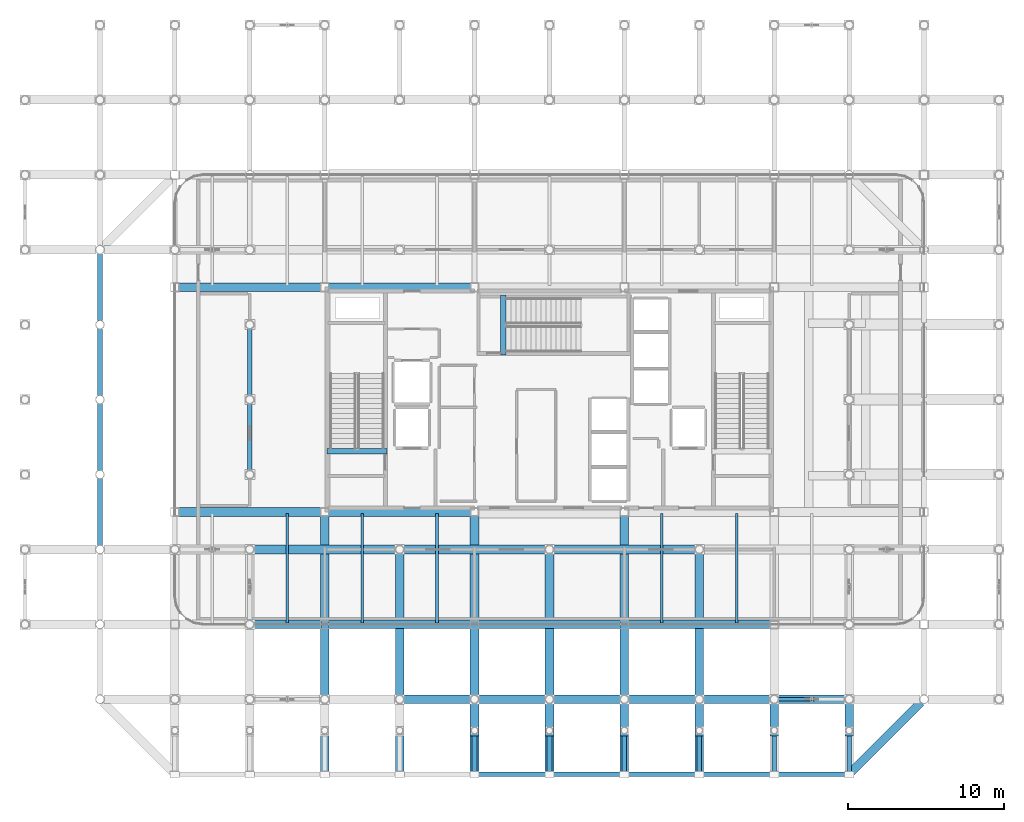
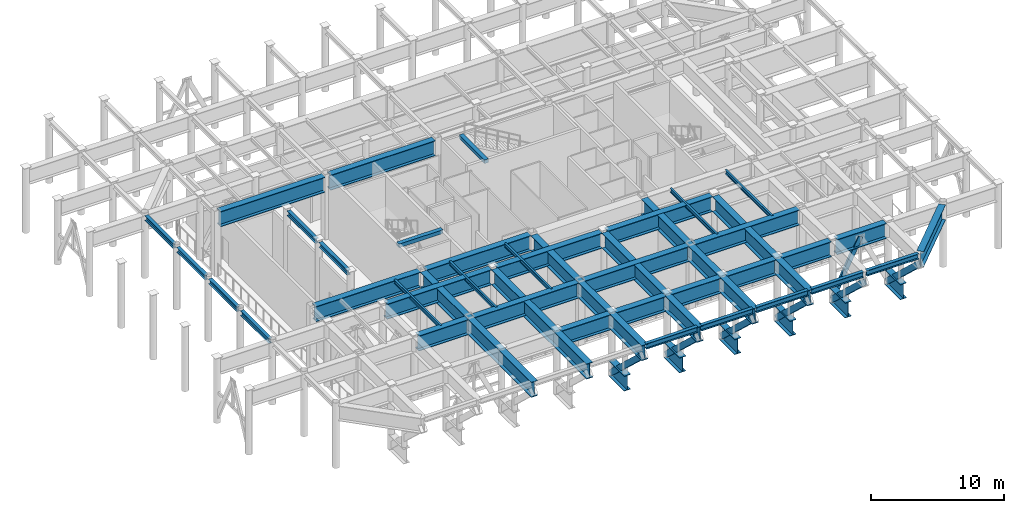
# One storey, part 5 of 20: 48 beams, 7 members.
"""IFC4 building model written with IfcOpenShell, lengths in metres."""

from ifc_helpers import new_model, si_unit, direction, frame, origin, origin_2d, place, context, subcontext, project, spatial, rectangle, hollow_rectangle, i_section, extrude, material, material_profile, profile_set, type_object, element, save


model = new_model("IFC4")

# Units and contexts
model_context = context("Model", 3, precision=1e-05, world=origin(), true_north=direction((0.0, 1.0)))
body_context = subcontext(model_context, "Body", "Model", "MODEL_VIEW")
ifc_project = project(units=[si_unit("LENGTHUNIT", "METRE"), si_unit("AREAUNIT", "SQUARE_METRE"), si_unit("VOLUMEUNIT", "CUBIC_METRE"), si_unit("PLANEANGLEUNIT", "RADIAN"), si_unit("MASSUNIT", "GRAM", prefix="KILO")], contexts=[model_context])

# Site, building, storey
site_placement = place(None, origin())
site = spatial("IfcSite", under=ifc_project, at=site_placement, CompositionType="ELEMENT")
building_placement = place(site_placement, origin())
building = spatial("IfcBuilding", under=site, at=building_placement, Name="Kallvorn Hotel Tower", CompositionType="ELEMENT")
storey_placement = place(building_placement, frame((0.0, 0.0, 276.199951171875)))
storey = spatial("IfcBuildingStorey", under=building, at=storey_placement, Name="L69", CompositionType="ELEMENT", Elevation=276.199951171875)

# Beams
ifc_material_1 = material(Name="Structural steel S355JR", Category="steel")
ifc_material_profile_1 = material_profile(ifc_material_1, i_section(OverallWidth=0.300048828125, OverallDepth=0.43994140625, WebThickness=0.011474609375, FlangeThickness=0.02099609375, at=origin_2d()), Name="HE 450 A")
ifc_profile_set_1 = profile_set([ifc_material_profile_1], Name="Structural steel S355JR")
beam_type_1 = type_object("IfcBeamType", Name="BM_HE450A", PredefinedType="BEAM", material=ifc_profile_set_1)
for number, where, z_axis, x_axis, name in (
    (1, (-28.800048828125, -9.345458984375, 5.580078125), (0.0, 1.0, 0.0), (-1.0, 0.0, 0.0), "L70 Primary Y-Girder 91"),
    (2, (-28.800048828125, -4.54541015625, 5.580078125), (0.0, 1.0, 0.0), (-1.0, 0.0, 0.0), "L70 Primary Y-Girder 92"),
    (3, (-28.800048828125, 0.25439453125, 5.580078125), (0.0, 1.0, 0.0), (-1.0, 0.0, 0.0), "L70 Primary Y-Girder 93"),
    (4, (-28.800048828125, 5.054443359375, 5.580078125), (0.0, 1.0, 0.0), (-1.0, 0.0, 0.0), "L70 Primary Y-Girder 94"),
    (5, (-19.199951171875, -4.54541015625, 5.580078125), (0.0, 1.0, 0.0), (-1.0, 0.0, 0.0), "L70 Primary Y-Girder 108"),
    (6, (-19.199951171875, 0.25439453125, 5.580078125), (0.0, 1.0, 0.0), (-1.0, 0.0, 0.0), "L70 Primary Y-Girder 109"),
):
    element("IfcBeam", number, at=place(storey_placement, frame(where, z_axis=z_axis, x_axis=x_axis)), inside=storey, type_object=beam_type_1, Name=name, PredefinedType="BEAM", context=body_context, shape_type="SweptSolid", body=[
        extrude(i_section(OverallWidth=0.300048828125, OverallDepth=0.43994140625, WebThickness=0.011474609375, FlangeThickness=0.02099609375, at=origin_2d()), origin(), (0.0, 0.0, 1.0), 4.291015625),
    ])
ifc_material_2 = material(Name="Structural steel S355JR", Category="steel")
ifc_material_profile_2 = material_profile(ifc_material_2, i_section(OverallWidth=0.300048828125, OverallDepth=0.5, WebThickness=0.014404296875, FlangeThickness=0.028076171875, at=origin_2d()), Name="HE 500 B")
ifc_profile_set_2 = profile_set([ifc_material_profile_2], Name="Structural steel S355JR")
beam_type_2 = type_object("IfcBeamType", Name="BM_HE500B", PredefinedType="SPANDREL", material=ifc_profile_set_2)
for number, where, z_axis, x_axis, name in (
    (7, (-4.64990234375, -24.0, 5.550048828125), (1.0, 0.0, 0.0), (0.0, 1.0, 0.0), "L70 Perimeter Spandrel 171"),
    (8, (0.14990234375, -24.0, 5.550048828125), (1.0, 0.0, 0.0), (0.0, 1.0, 0.0), "L70 Perimeter Spandrel 172"),
    (9, (4.949951171875, -24.0, 5.550048828125), (1.0, 0.0, 0.0), (0.0, 1.0, 0.0), "L70 Perimeter Spandrel 173"),
    (10, (9.75, -24.0, 5.550048828125), (1.0, 0.0, 0.0), (0.0, 1.0, 0.0), "L70 Perimeter Spandrel 174"),
    (11, (14.550048828125, -24.0, 5.550048828125), (1.0, 0.0, 0.0), (0.0, 1.0, 0.0), "L70 Perimeter Spandrel 175"),
):
    element("IfcBeam", number, at=place(storey_placement, frame(where, z_axis=z_axis, x_axis=x_axis)), inside=storey, type_object=beam_type_2, Name=name, PredefinedType="SPANDREL", context=body_context, shape_type="SweptSolid", body=[
        extrude(i_section(OverallWidth=0.300048828125, OverallDepth=0.5, WebThickness=0.014404296875, FlangeThickness=0.028076171875, at=origin_2d()), origin(), (0.0, 0.0, 1.0), 4.5),
    ])
ifc_material_3 = material(Name="Structural steel S355JR", Category="steel")
ifc_material_profile_3 = material_profile(ifc_material_3, i_section(OverallWidth=0.169921875, OverallDepth=0.360107421875, WebThickness=0.008056640625, FlangeThickness=0.0126953125, at=origin_2d()), Name="IPE 360")
ifc_profile_set_3 = profile_set([ifc_material_profile_3], Name="Structural steel S355JR")
beam_type_3 = type_object("IfcBeamType", Name="BM_IPE360", PredefinedType="JOIST", material=ifc_profile_set_3)
for number, where, z_axis, x_axis, name in (
    (12, (-16.800048828125, -14.300048828125, 5.6201171875), (0.0, 1.0, 0.0), (-1.0, 0.0, 0.0), "L70 Secondary Composite Joist 205"),
    (13, (-12.0, -14.300048828125, 5.6201171875), (0.0, 1.0, 0.0), (-1.0, 0.0, 0.0), "L70 Secondary Composite Joist 207"),
    (14, (-7.199951171875, -14.300048828125, 5.6201171875), (0.0, 1.0, 0.0), (-1.0, 0.0, 0.0), "L70 Secondary Composite Joist 209"),
    (15, (7.199951171875, -14.300048828125, 5.6201171875), (0.0, 1.0, 0.0), (-1.0, 0.0, 0.0), "L70 Secondary Composite Joist 213"),
    (16, (12.0, -14.300048828125, 5.6201171875), (0.0, 1.0, 0.0), (-1.0, 0.0, 0.0), "L70 Secondary Composite Joist 215"),
):
    element("IfcBeam", number, at=place(storey_placement, frame(where, z_axis=z_axis, x_axis=x_axis)), inside=storey, type_object=beam_type_3, Name=name, PredefinedType="JOIST", context=body_context, shape_type="SweptSolid", body=[
        extrude(i_section(OverallWidth=0.169921875, OverallDepth=0.360107421875, WebThickness=0.008056640625, FlangeThickness=0.0126953125, at=origin_2d()), origin(), (0.0, 0.0, 1.0), 7.0),
    ])
ifc_material_4 = material(Name="Structural steel S355JR", Category="steel")
ifc_material_profile_4 = material_profile(ifc_material_4, i_section(OverallWidth=0.550048828125, OverallDepth=1.39990234375, WebThickness=0.02490234375, FlangeThickness=0.044921875, at=origin_2d()), Name="PG 1400x550x25x45")
ifc_profile_set_4 = profile_set([ifc_material_profile_4], Name="Structural steel S355JR")
beam_type_4 = type_object("IfcBeamType", Name="BM_PG_1400", PredefinedType="BEAM", material=ifc_profile_set_4)
beam_1_placement = place(storey_placement, frame((-14.39990234375, -7.465087890625, 5.10009765625), z_axis=(0.0, -1.0, 0.0), x_axis=(1.0, 0.0, 0.0)))
element("IfcBeam", 17, at=beam_1_placement, inside=storey, type_object=beam_type_4, Name="L70 Continuous Cantilever Transfer Girder 03", PredefinedType="BEAM", context=body_context, shape_type="SweptSolid", body=[
    extrude(i_section(OverallWidth=0.550048828125, OverallDepth=1.39990234375, WebThickness=0.02490234375, FlangeThickness=0.044921875, at=origin_2d()), origin(), (0.0, 0.0, 1.0), 16.71484375),
])
beam_2_placement = place(storey_placement, frame((-9.60009765625, -9.869384765625, 5.10009765625), z_axis=(0.0, -1.0, 0.0), x_axis=(1.0, 0.0, 0.0)))
element("IfcBeam", 18, at=beam_2_placement, inside=storey, type_object=beam_type_4, Name="L70 Continuous Cantilever Transfer Girder 04", PredefinedType="BEAM", context=body_context, shape_type="SweptSolid", body=[
    extrude(i_section(OverallWidth=0.550048828125, OverallDepth=1.39990234375, WebThickness=0.02490234375, FlangeThickness=0.044921875, at=origin_2d()), origin(), (0.0, 0.0, 1.0), 14.310546875),
])
beam_3_placement = place(storey_placement, frame((-4.800048828125, -7.465087890625, 5.10009765625), z_axis=(0.0, -1.0, 0.0), x_axis=(1.0, 0.0, 0.0)))
element("IfcBeam", 19, at=beam_3_placement, inside=storey, type_object=beam_type_4, Name="L70 Continuous Cantilever Transfer Girder 06", PredefinedType="BEAM", context=body_context, shape_type="SweptSolid", body=[
    extrude(i_section(OverallWidth=0.550048828125, OverallDepth=1.39990234375, WebThickness=0.02490234375, FlangeThickness=0.044921875, at=origin_2d()), origin(), (0.0, 0.0, 1.0), 16.71484375),
])
beam_4_placement = place(storey_placement, frame((-4.800048828125, -19.199951171875, 0.719970703125), z_axis=(0.0, -1.0, 0.0), x_axis=(1.0, 0.0, 0.0)))
element("IfcBeam", 20, at=beam_4_placement, inside=storey, type_object=beam_type_4, Name="L70 Cantilever Haunch Corbel 05", PredefinedType="BEAM", context=body_context, shape_type="SweptSolid", body=[
    extrude(i_section(OverallWidth=0.550048828125, OverallDepth=1.39990234375, WebThickness=0.02490234375, FlangeThickness=0.044921875, at=origin_2d()), origin(), (0.0, 0.0, 1.0), 2.35009765625),
])
beam_5_placement = place(storey_placement, frame((0.0, -9.869384765625, 5.10009765625), z_axis=(0.0, -1.0, 0.0), x_axis=(1.0, 0.0, 0.0)))
element("IfcBeam", 21, at=beam_5_placement, inside=storey, type_object=beam_type_4, Name="L70 Continuous Cantilever Transfer Girder 07", PredefinedType="BEAM", context=body_context, shape_type="SweptSolid", body=[
    extrude(i_section(OverallWidth=0.550048828125, OverallDepth=1.39990234375, WebThickness=0.02490234375, FlangeThickness=0.044921875, at=origin_2d()), origin(), (0.0, 0.0, 1.0), 14.310546875),
])
beam_6_placement = place(storey_placement, frame((0.0, -19.199951171875, 0.719970703125), z_axis=(0.0, -1.0, 0.0), x_axis=(1.0, 0.0, 0.0)))
element("IfcBeam", 22, at=beam_6_placement, inside=storey, type_object=beam_type_4, Name="L70 Cantilever Haunch Corbel 06", PredefinedType="BEAM", context=body_context, shape_type="SweptSolid", body=[
    extrude(i_section(OverallWidth=0.550048828125, OverallDepth=1.39990234375, WebThickness=0.02490234375, FlangeThickness=0.044921875, at=origin_2d()), origin(), (0.0, 0.0, 1.0), 2.35009765625),
])
beam_7_placement = place(storey_placement, frame((4.800048828125, -7.465087890625, 5.10009765625), z_axis=(0.0, -1.0, 0.0), x_axis=(1.0, 0.0, 0.0)))
element("IfcBeam", 23, at=beam_7_placement, inside=storey, type_object=beam_type_4, Name="L70 Continuous Cantilever Transfer Girder 09", PredefinedType="BEAM", context=body_context, shape_type="SweptSolid", body=[
    extrude(i_section(OverallWidth=0.550048828125, OverallDepth=1.39990234375, WebThickness=0.02490234375, FlangeThickness=0.044921875, at=origin_2d()), origin(), (0.0, 0.0, 1.0), 16.71484375),
])
beam_8_placement = place(storey_placement, frame((4.800048828125, -19.199951171875, 0.719970703125), z_axis=(0.0, -1.0, 0.0), x_axis=(1.0, 0.0, 0.0)))
element("IfcBeam", 24, at=beam_8_placement, inside=storey, type_object=beam_type_4, Name="L70 Cantilever Haunch Corbel 07", PredefinedType="BEAM", context=body_context, shape_type="SweptSolid", body=[
    extrude(i_section(OverallWidth=0.550048828125, OverallDepth=1.39990234375, WebThickness=0.02490234375, FlangeThickness=0.044921875, at=origin_2d()), origin(), (0.0, 0.0, 1.0), 2.35009765625),
])
beam_9_placement = place(storey_placement, frame((9.60009765625, -9.869384765625, 5.10009765625), z_axis=(0.0, -1.0, 0.0), x_axis=(1.0, 0.0, 0.0)))
element("IfcBeam", 25, at=beam_9_placement, inside=storey, type_object=beam_type_4, Name="L70 Continuous Cantilever Transfer Girder 10", PredefinedType="BEAM", context=body_context, shape_type="SweptSolid", body=[
    extrude(i_section(OverallWidth=0.550048828125, OverallDepth=1.39990234375, WebThickness=0.02490234375, FlangeThickness=0.044921875, at=origin_2d()), origin(), (0.0, 0.0, 1.0), 14.310546875),
])
for number, where, z_axis, x_axis, name in (
    (26, (9.60009765625, -19.199951171875, 0.719970703125), (0.0, -1.0, 0.0), (1.0, 0.0, 0.0), "L70 Cantilever Haunch Corbel 08"),
    (27, (14.39990234375, -19.199951171875, 0.719970703125), (0.0, -1.0, 0.0), (1.0, 0.0, 0.0), "L70 Cantilever Haunch Corbel 09"),
    (28, (19.199951171875, -19.199951171875, 0.719970703125), (0.0, -1.0, 0.0), (1.0, 0.0, 0.0), "L70 Cantilever Haunch Corbel 10"),
):
    element("IfcBeam", number, at=place(storey_placement, frame(where, z_axis=z_axis, x_axis=x_axis)), inside=storey, type_object=beam_type_4, Name=name, PredefinedType="BEAM", context=body_context, shape_type="SweptSolid", body=[
        extrude(i_section(OverallWidth=0.550048828125, OverallDepth=1.39990234375, WebThickness=0.02490234375, FlangeThickness=0.044921875, at=origin_2d()), origin(), (0.0, 0.0, 1.0), 2.35009765625),
    ])
for number, where, z_axis, x_axis, name in (
    (29, (-9.345458984375, -19.199951171875, 5.10009765625), (1.0, 0.0, 0.0), (0.0, 1.0, 0.0), "L70 Primary X-Girder 21"),
    (30, (-4.54541015625, -19.199951171875, 5.10009765625), (1.0, 0.0, 0.0), (0.0, 1.0, 0.0), "L70 Primary X-Girder 22"),
    (31, (0.25439453125, -19.199951171875, 5.10009765625), (1.0, 0.0, 0.0), (0.0, 1.0, 0.0), "L70 Primary X-Girder 23"),
    (32, (5.054443359375, -19.199951171875, 5.10009765625), (1.0, 0.0, 0.0), (0.0, 1.0, 0.0), "L70 Primary X-Girder 24"),
    (33, (9.8544921875, -19.199951171875, 5.10009765625), (1.0, 0.0, 0.0), (0.0, 1.0, 0.0), "L70 Primary X-Girder 25"),
    (34, (14.654541015625, -19.199951171875, 5.10009765625), (1.0, 0.0, 0.0), (0.0, 1.0, 0.0), "L70 Primary X-Girder 26"),
):
    element("IfcBeam", number, at=place(storey_placement, frame(where, z_axis=z_axis, x_axis=x_axis)), inside=storey, type_object=beam_type_4, Name=name, PredefinedType="BEAM", context=body_context, shape_type="SweptSolid", body=[
        extrude(i_section(OverallWidth=0.550048828125, OverallDepth=1.39990234375, WebThickness=0.02490234375, FlangeThickness=0.044921875, at=origin_2d()), origin(), (0.0, 0.0, 1.0), 4.291015625),
    ])
beam_10_placement = place(storey_placement, frame((-18.945556640625, -14.39990234375, 5.10009765625), z_axis=(1.0, 0.0, 0.0), x_axis=(0.0, 1.0, 0.0)))
element("IfcBeam", 35, at=beam_10_placement, inside=storey, type_object=beam_type_4, Name="L70 Primary X-Girder 32", PredefinedType="BEAM", context=body_context, shape_type="SweptSolid", body=[
    extrude(i_section(OverallWidth=0.550048828125, OverallDepth=1.39990234375, WebThickness=0.02490234375, FlangeThickness=0.044921875, at=origin_2d()), origin(), (0.0, 0.0, 1.0), 4.295654296875),
])
beam_11_placement = place(storey_placement, frame((-14.14990234375, -14.39990234375, 5.10009765625), z_axis=(1.0, 0.0, 0.0), x_axis=(0.0, 1.0, 0.0)))
element("IfcBeam", 36, at=beam_11_placement, inside=storey, type_object=beam_type_4, Name="L70 Primary X-Girder 33", PredefinedType="BEAM", context=body_context, shape_type="SweptSolid", body=[
    extrude(i_section(OverallWidth=0.550048828125, OverallDepth=1.39990234375, WebThickness=0.02490234375, FlangeThickness=0.044921875, at=origin_2d()), origin(), (0.0, 0.0, 1.0), 9.099853515625),
])
beam_12_placement = place(storey_placement, frame((-4.550048828125, -14.39990234375, 5.10009765625), z_axis=(1.0, 0.0, 0.0), x_axis=(0.0, 1.0, 0.0)))
element("IfcBeam", 37, at=beam_12_placement, inside=storey, type_object=beam_type_4, Name="L70 Primary X-Girder 34", PredefinedType="BEAM", context=body_context, shape_type="SweptSolid", body=[
    extrude(i_section(OverallWidth=0.550048828125, OverallDepth=1.39990234375, WebThickness=0.02490234375, FlangeThickness=0.044921875, at=origin_2d()), origin(), (0.0, 0.0, 1.0), 9.10009765625),
])
beam_13_placement = place(storey_placement, frame((5.050048828125, -14.39990234375, 5.10009765625), z_axis=(1.0, 0.0, 0.0), x_axis=(0.0, 1.0, 0.0)))
element("IfcBeam", 38, at=beam_13_placement, inside=storey, type_object=beam_type_4, Name="L70 Primary X-Girder 35", PredefinedType="BEAM", context=body_context, shape_type="SweptSolid", body=[
    extrude(i_section(OverallWidth=0.550048828125, OverallDepth=1.39990234375, WebThickness=0.02490234375, FlangeThickness=0.044921875, at=origin_2d()), origin(), (0.0, 0.0, 1.0), 9.099853515625),
])
for number, where, z_axis, x_axis, name in (
    (39, (-18.945556640625, -9.60009765625, 5.10009765625), (1.0, 0.0, 0.0), (0.0, 1.0, 0.0), "L70 Primary X-Girder 42"),
    (40, (-9.345458984375, -9.60009765625, 5.10009765625), (1.0, 0.0, 0.0), (0.0, 1.0, 0.0), "L70 Primary X-Girder 43"),
    (41, (0.25439453125, -9.60009765625, 5.10009765625), (1.0, 0.0, 0.0), (0.0, 1.0, 0.0), "L70 Primary X-Girder 44"),
):
    element("IfcBeam", number, at=place(storey_placement, frame(where, z_axis=z_axis, x_axis=x_axis)), inside=storey, type_object=beam_type_4, Name=name, PredefinedType="BEAM", context=body_context, shape_type="SweptSolid", body=[
        extrude(i_section(OverallWidth=0.550048828125, OverallDepth=1.39990234375, WebThickness=0.02490234375, FlangeThickness=0.044921875, at=origin_2d()), origin(), (0.0, 0.0, 1.0), 9.091064453125),
    ])
beam_14_placement = place(storey_placement, frame((-23.75, -7.199951171875, 5.10009765625), z_axis=(1.0, 0.0, 0.0), x_axis=(0.0, 1.0, 0.0)))
element("IfcBeam", 42, at=beam_14_placement, inside=storey, type_object=beam_type_4, Name="L70 Primary X-Girder 48", PredefinedType="BEAM", context=body_context, shape_type="SweptSolid", body=[
    extrude(i_section(OverallWidth=0.550048828125, OverallDepth=1.39990234375, WebThickness=0.02490234375, FlangeThickness=0.044921875, at=origin_2d()), origin(), (0.0, 0.0, 1.0), 9.10009765625),
])
beam_15_placement = place(storey_placement, frame((-14.14990234375, -7.199951171875, 5.10009765625), z_axis=(1.0, 0.0, 0.0), x_axis=(0.0, 1.0, 0.0)))
element("IfcBeam", 43, at=beam_15_placement, inside=storey, type_object=beam_type_4, Name="L70 Primary X-Girder 49", PredefinedType="BEAM", context=body_context, shape_type="SweptSolid", body=[
    extrude(i_section(OverallWidth=0.550048828125, OverallDepth=1.39990234375, WebThickness=0.02490234375, FlangeThickness=0.044921875, at=origin_2d()), origin(), (0.0, 0.0, 1.0), 9.099853515625),
])
beam_16_placement = place(storey_placement, frame((-23.75, 7.199951171875, 5.10009765625), z_axis=(1.0, 0.0, 0.0), x_axis=(0.0, 1.0, 0.0)))
element("IfcBeam", 44, at=beam_16_placement, inside=storey, type_object=beam_type_4, Name="L70 Primary X-Girder 52", PredefinedType="BEAM", context=body_context, shape_type="SweptSolid", body=[
    extrude(i_section(OverallWidth=0.550048828125, OverallDepth=1.39990234375, WebThickness=0.02490234375, FlangeThickness=0.044921875, at=origin_2d()), origin(), (0.0, 0.0, 1.0), 9.10009765625),
])
beam_17_placement = place(storey_placement, frame((-14.14990234375, 7.199951171875, 5.10009765625), z_axis=(1.0, 0.0, 0.0), x_axis=(0.0, 1.0, 0.0)))
element("IfcBeam", 45, at=beam_17_placement, inside=storey, type_object=beam_type_4, Name="L70 Primary X-Girder 53", PredefinedType="BEAM", context=body_context, shape_type="SweptSolid", body=[
    extrude(i_section(OverallWidth=0.550048828125, OverallDepth=1.39990234375, WebThickness=0.02490234375, FlangeThickness=0.044921875, at=origin_2d()), origin(), (0.0, 0.0, 1.0), 9.099853515625),
])
beam_18_placement = place(storey_placement, frame((23.809326171875, -19.390625, 5.10009765625), z_axis=(-0.707106781187, -0.707106781187, 0.0), x_axis=(0.707106781187, -0.707106781187, 0.0)))
element("IfcBeam", 46, at=beam_18_placement, inside=storey, type_object=beam_type_4, Name="L70 Rounded Corner Tie Beam 201", PredefinedType="BEAM", context=body_context, shape_type="SweptSolid", body=[
    extrude(i_section(OverallWidth=0.550048828125, OverallDepth=1.39990234375, WebThickness=0.02490234375, FlangeThickness=0.044921875, at=origin_2d()), origin(), (0.0, 0.0, 1.0), 6.368408203125),
])
ifc_material_5 = material(Name="Concrete C50/60", Category="concrete")
ifc_material_profile_5 = material_profile(ifc_material_5, rectangle(XDim=0.360107421875, YDim=0.340087890625, at=origin_2d()), Name="RC 360x340")
ifc_profile_set_5 = profile_set([ifc_material_profile_5], Name="Concrete C50/60")
beam_type_5 = type_object("IfcBeamType", Name="BM_RC_400x360", PredefinedType="BEAM", material=ifc_profile_set_5)
beam_19_placement = place(storey_placement, frame((-10.419921875, -3.31005859375, 5.630126953125), z_axis=(-1.0, 0.0, 0.0), x_axis=(0.0, -1.0, 0.0)))
element("IfcBeam", 47, at=beam_19_placement, inside=storey, type_object=beam_type_5, Name="L70 Stair ST1 Arrival Trimmer Beam", PredefinedType="BEAM", context=body_context, shape_type="SweptSolid", body=[
    extrude(rectangle(XDim=0.360107421875, YDim=0.340087890625, at=origin_2d()), origin(), (0.0, 0.0, 1.0), 3.820068359375),
])
beam_20_placement = place(storey_placement, frame((-2.9599609375, 2.8701171875, 5.630126953125), z_axis=(0.0, 1.0, 0.0), x_axis=(-1.0, 0.0, 0.0)))
element("IfcBeam", 48, at=beam_20_placement, inside=storey, type_object=beam_type_5, Name="L70 Stair ST3 Arrival Trimmer Beam", PredefinedType="BEAM", context=body_context, shape_type="SweptSolid", body=[
    extrude(rectangle(XDim=0.360107421875, YDim=0.340087890625, at=origin_2d()), origin(), (0.0, 0.0, 1.0), 3.81982421875),
])

# Members
ifc_material_6 = material(Name="Structural steel S355J2H", Category="steel")
ifc_material_profile_6 = material_profile(ifc_material_6, hollow_rectangle(XDim=0.199951171875, YDim=0.39990234375, WallThickness=0.02001953125, at=origin_2d()), Name="RHS 400x200x20")
ifc_profile_set_6 = profile_set([ifc_material_profile_6], Name="Structural steel S355J2H")
member_type_1 = type_object("IfcMemberType", Name="MBR_BELT_RHS400", PredefinedType="BRACE", material=ifc_profile_set_6)
member_placement = place(storey_placement, frame((14.40869140625, -19.199951171875, 0.3681640625), z_axis=(0.440627546055, 0.0, 0.897690016463), x_axis=(0.0, 1.0, 0.0)))
element("IfcMember", 49, at=member_placement, inside=storey, type_object=member_type_1, Name="L69 Belt Truss Diagonal 2A", PredefinedType="BRACE", context=body_context, shape_type="SweptSolid", body=[
    extrude(hollow_rectangle(XDim=0.199951171875, YDim=0.39990234375, WallThickness=0.02001953125, at=origin_2d()), origin(), (0.0, 0.0, 1.0), 5.4072265625),
])
ifc_material_7 = material(Name="Structural steel S355J2H", Category="steel")
ifc_material_profile_7 = material_profile(ifc_material_7, hollow_rectangle(XDim=0.300048828125, YDim=0.5, WallThickness=0.02490234375, at=origin_2d()), Name="RHS 500x300x25")
ifc_profile_set_7 = profile_set([ifc_material_profile_7], Name="Structural steel S355J2H")
member_type_2 = type_object("IfcMemberType", Name="MBR_OUTRIGGER_RHS500", PredefinedType="BRACE", material=ifc_profile_set_7)
for number, where, z_axis, x_axis, name in (
    (50, (-4.800048828125, -19.199951171875, 0.25), (0.0, -0.729540675584, 0.683937425989), (1.0, 0.0, 0.0), "L70 Exoskeleton Cantilever Raking Strut 05"),
    (51, (0.0, -19.199951171875, 0.25), (0.0, -0.729540675584, 0.683937425989), (1.0, 0.0, 0.0), "L70 Exoskeleton Cantilever Raking Strut 06"),
    (52, (4.800048828125, -19.199951171875, 0.25), (0.0, -0.729540675584, 0.683937425989), (1.0, 0.0, 0.0), "L70 Exoskeleton Cantilever Raking Strut 07"),
    (53, (9.60009765625, -19.199951171875, 0.25), (0.0, -0.729540675584, 0.683937425989), (1.0, 0.0, 0.0), "L70 Exoskeleton Cantilever Raking Strut 08"),
    (54, (14.39990234375, -19.199951171875, 0.25), (0.0, -0.729540675584, 0.683937425989), (1.0, 0.0, 0.0), "L70 Exoskeleton Cantilever Raking Strut 09"),
    (55, (19.199951171875, -19.199951171875, 0.25), (0.0, -0.729540675584, 0.683937425989), (1.0, 0.0, 0.0), "L70 Exoskeleton Cantilever Raking Strut 10"),
):
    element("IfcMember", number, at=place(storey_placement, frame(where, z_axis=z_axis, x_axis=x_axis)), inside=storey, type_object=member_type_2, Name=name, PredefinedType="BRACE", context=body_context, shape_type="SweptSolid", body=[
        extrude(hollow_rectangle(XDim=0.300048828125, YDim=0.5, WallThickness=0.02490234375, at=origin_2d()), origin(), (0.0, 0.0, 1.0), 6.57958984375),
    ])

save(model, "model.ifc")
